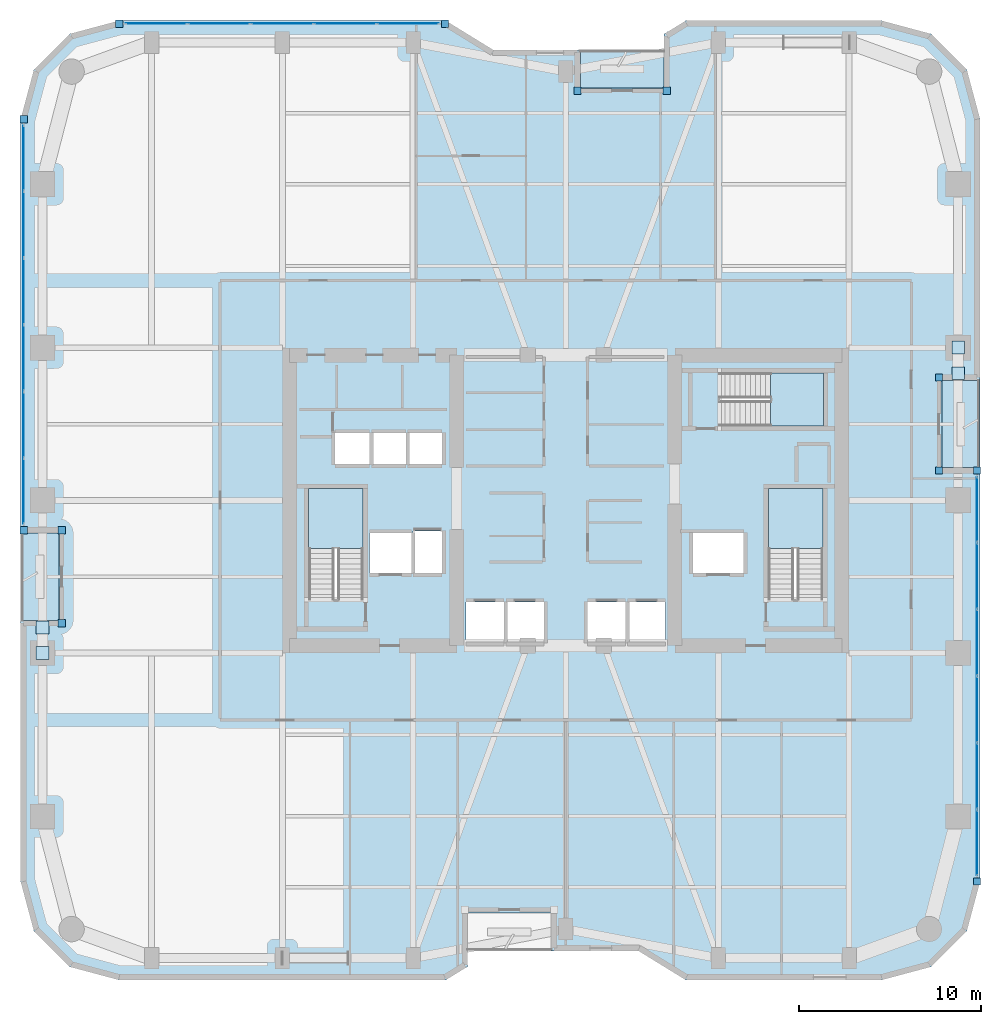
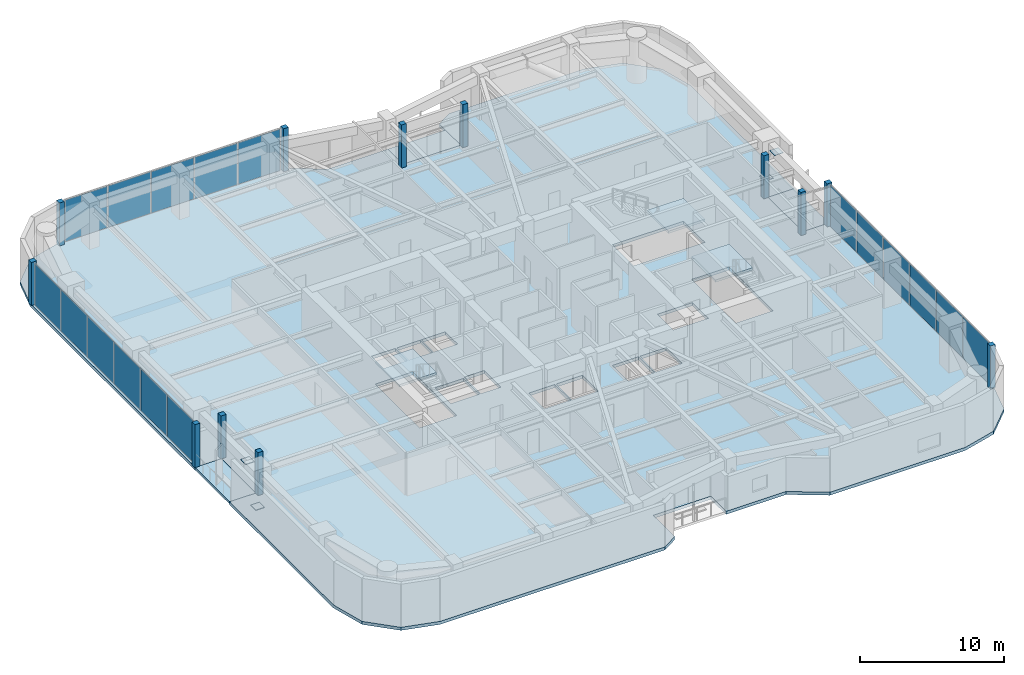
# One storey, part 16 of 24: 33 plates, 7 slabs, 6 elements without a shape of their own.
"""IFC4 building model written with IfcOpenShell, lengths in metres."""

from ifc_helpers import new_model, si_unit, direction, frame, origin, origin_2d, place, context, subcontext, project, spatial, polyline, rectangle, outline, extrude, material, layer, layer_set, type_object, element, aggregate, save


model = new_model("IFC4")

# Units and contexts
model_context = context("Model", 3, precision=1e-05, world=origin(), true_north=direction((0.0, 1.0)))
body_context = subcontext(model_context, "Body", "Model", "MODEL_VIEW")
ifc_project = project(units=[si_unit("LENGTHUNIT", "METRE"), si_unit("AREAUNIT", "SQUARE_METRE"), si_unit("VOLUMEUNIT", "CUBIC_METRE"), si_unit("PLANEANGLEUNIT", "RADIAN"), si_unit("MASSUNIT", "GRAM", prefix="KILO")], contexts=[model_context])

# Site, building, storey
site_placement = place(None, origin())
site = spatial("IfcSite", under=ifc_project, at=site_placement, CompositionType="ELEMENT")
building_placement = place(site_placement, origin())
building = spatial("IfcBuilding", under=site, at=building_placement, Name="Kiyonajd Concourse Tower", CompositionType="ELEMENT")
storey_placement = place(building_placement, frame((0.0, 0.0, 97.5)))
storey = spatial("IfcBuildingStorey", under=building, at=storey_placement, Name="L25", CompositionType="ELEMENT", Elevation=97.5)

# Plates
ifc_material_1 = material(Name="Steel ASTM A572 Grade 50", Category="steel")
ifc_layer_1 = layer(ifc_material_1, 0.028076171875)
ifc_layer_set_1 = layer_set([ifc_layer_1], Name="Steel ASTM A572 Grade 50")
plate_type_1 = type_object("IfcPlateType", Name="PL-CAP-450", PredefinedType="USERDEFINED", material=ifc_layer_set_1)
for number, where, z_axis, x_axis, name in (
    (1, (19.199951171875, 27.59521484375, 0.27587890625), (0.0, 0.0, 1.0), (1.0, 0.0, 0.0), "L25 Hollow Brace End Cap Plate PBW"),
    (2, (19.199951171875, 29.004638671875, 3.2861328125), (0.0, 0.0, 1.0), (1.0, 0.0, 0.0), "L25 Hollow Brace Top Cap Plate PBW"),
    (3, (69.60009765625, 44.40478515625, 0.27587890625), (0.0, 0.0, 1.0), (1.0, 0.0, 0.0), "L25 Hollow Brace End Cap Plate PBE"),
    (4, (69.60009765625, 42.995361328125, 3.2861328125), (0.0, 0.0, 1.0), (1.0, 0.0, 0.0), "L25 Hollow Brace Top Cap Plate PBE"),
):
    element("IfcPlate", number, at=place(storey_placement, frame(where, z_axis=z_axis, x_axis=x_axis)), inside=storey, type_object=plate_type_1, Name=name, ObjectType="CAP PLATE", PredefinedType="USERDEFINED", context=body_context, shape_type="SweptSolid", body=[
        extrude(rectangle(XDim=0.7099609375, YDim=0.7099609375, at=origin_2d()), origin(), (0.0, 0.0, 1.0), 0.028076171875),
    ])

# Curtain wall, plates
ifc_material_2 = material(Name="Thermally Broken Anodised Aluminium", Category="aluminium")
ifc_layer_2 = layer(ifc_material_2, 0.179931640625)
ifc_layer_set_2 = layer_set([ifc_layer_2], Name="Thermally Broken Anodised Aluminium")
curtain_wall_type = type_object("IfcCurtainWallType", Name="CW-SYS-03", PredefinedType="NOTDEFINED", material=ifc_layer_set_2)
curtain_wall_1_placement = place(storey_placement, origin())
curtain_wall_1 = element("IfcCurtainWall", 5, at=curtain_wall_1_placement, inside=storey, type_object=curtain_wall_type, Name="L25 Unitised Curtain Wall CW3", PredefinedType="NOTDEFINED")
ifc_material_3 = material(Name="Double Low-E Insulated Glass", Category="glass")
ifc_layer_3 = layer(ifc_material_3, 0.033935546875)
ifc_layer_set_3 = layer_set([ifc_layer_3], Name="Double Low-E Insulated Glass")
plate_type_2 = type_object("IfcPlateType", Name="PL-CW-VIS34", PredefinedType="CURTAIN_PANEL", material=ifc_layer_set_3)
plate_1_placement = place(storey_placement, frame((18.159912109375, 36.5029296875, 0.06494140625), z_axis=(0.0, 0.0, 1.0), x_axis=(0.0, 1.0, 0.0)))
plate_1 = element("IfcPlate", 6, at=plate_1_placement, type_object=plate_type_2, Name="CW3 panel 1.1", PredefinedType="CURTAIN_PANEL", context=body_context, shape_type="SweptSolid", body=[
    extrude(rectangle(XDim=3.57568359375, YDim=0.033935546875, at=origin_2d()), origin(), (0.0, 0.0, 1.0), 3.510009765625),
])
plate_2_placement = place(storey_placement, frame((18.159912109375, 40.15966796875, 0.06494140625), z_axis=(0.0, 0.0, 1.0), x_axis=(0.0, 1.0, 0.0)))
plate_2 = element("IfcPlate", 7, at=plate_2_placement, type_object=plate_type_2, Name="CW3 panel 2.1", PredefinedType="CURTAIN_PANEL", context=body_context, shape_type="SweptSolid", body=[
    extrude(rectangle(XDim=3.608154296875, YDim=0.033935546875, at=origin_2d()), origin(), (0.0, 0.0, 1.0), 3.510009765625),
])
plate_3_placement = place(storey_placement, frame((18.159912109375, 43.832763671875, 0.06494140625), z_axis=(0.0, 0.0, 1.0), x_axis=(0.0, 1.0, 0.0)))
plate_3 = element("IfcPlate", 8, at=plate_3_placement, type_object=plate_type_2, Name="CW3 panel 3.1", PredefinedType="CURTAIN_PANEL", context=body_context, shape_type="SweptSolid", body=[
    extrude(rectangle(XDim=3.608154296875, YDim=0.033935546875, at=origin_2d()), origin(), (0.0, 0.0, 1.0), 3.510009765625),
])
plate_4_placement = place(storey_placement, frame((18.159912109375, 47.506103515625, 0.06494140625), z_axis=(0.0, 0.0, 1.0), x_axis=(0.0, 1.0, 0.0)))
plate_4 = element("IfcPlate", 9, at=plate_4_placement, type_object=plate_type_2, Name="CW3 panel 4.1", PredefinedType="CURTAIN_PANEL", context=body_context, shape_type="SweptSolid", body=[
    extrude(rectangle(XDim=3.608154296875, YDim=0.033935546875, at=origin_2d()), origin(), (0.0, 0.0, 1.0), 3.510009765625),
])
plate_5_placement = place(storey_placement, frame((18.159912109375, 51.17919921875, 0.06494140625), z_axis=(0.0, 0.0, 1.0), x_axis=(0.0, 1.0, 0.0)))
plate_5 = element("IfcPlate", 10, at=plate_5_placement, type_object=plate_type_2, Name="CW3 panel 5.1", PredefinedType="CURTAIN_PANEL", context=body_context, shape_type="SweptSolid", body=[
    extrude(rectangle(XDim=3.608154296875, YDim=0.033935546875, at=origin_2d()), origin(), (0.0, 0.0, 1.0), 3.510009765625),
])
plate_6_placement = place(storey_placement, frame((18.159912109375, 54.836181640625, 0.06494140625), z_axis=(0.0, 0.0, 1.0), x_axis=(0.0, 1.0, 0.0)))
plate_6 = element("IfcPlate", 11, at=plate_6_placement, type_object=plate_type_2, Name="CW3 panel 6.1", PredefinedType="CURTAIN_PANEL", context=body_context, shape_type="SweptSolid", body=[
    extrude(rectangle(XDim=3.57568359375, YDim=0.033935546875, at=origin_2d()), origin(), (0.0, 0.0, 1.0), 3.510009765625),
])
aggregate(curtain_wall_1, [plate_1, plate_2, plate_3, plate_4, plate_5, plate_6])

curtain_wall_2_placement = place(storey_placement, origin())
curtain_wall_2 = element("IfcCurtainWall", 12, at=curtain_wall_2_placement, inside=storey, type_object=curtain_wall_type, Name="L25 Unitised Curtain Wall CW3", PredefinedType="NOTDEFINED")
plate_7_placement = place(storey_placement, frame((25.462646484375, 62.239990234375, 0.06494140625), z_axis=(0.0, 0.0, 1.0), x_axis=(1.0, 0.0, 0.0)))
plate_7 = element("IfcPlate", 13, at=plate_7_placement, type_object=plate_type_2, Name="CW3 panel 1.1", PredefinedType="CURTAIN_PANEL", context=body_context, shape_type="SweptSolid", body=[
    extrude(rectangle(XDim=3.373291015625, YDim=0.033935546875, at=origin_2d()), origin(), (0.0, 0.0, 1.0), 3.510009765625),
])
plate_8_placement = place(storey_placement, frame((28.917236328125, 62.239990234375, 0.06494140625), z_axis=(0.0, 0.0, 1.0), x_axis=(1.0, 0.0, 0.0)))
plate_8 = element("IfcPlate", 14, at=plate_8_placement, type_object=plate_type_2, Name="CW3 panel 2.1", PredefinedType="CURTAIN_PANEL", context=body_context, shape_type="SweptSolid", body=[
    extrude(rectangle(XDim=3.40576171875, YDim=0.033935546875, at=origin_2d()), origin(), (0.0, 0.0, 1.0), 3.510009765625),
])
plate_9_placement = place(storey_placement, frame((32.387939453125, 62.239990234375, 0.06494140625), z_axis=(0.0, 0.0, 1.0), x_axis=(1.0, 0.0, 0.0)))
plate_9 = element("IfcPlate", 15, at=plate_9_placement, type_object=plate_type_2, Name="CW3 panel 3.1", PredefinedType="CURTAIN_PANEL", context=body_context, shape_type="SweptSolid", body=[
    extrude(rectangle(XDim=3.40576171875, YDim=0.033935546875, at=origin_2d()), origin(), (0.0, 0.0, 1.0), 3.510009765625),
])
plate_10_placement = place(storey_placement, frame((35.858642578125, 62.239990234375, 0.06494140625), z_axis=(0.0, 0.0, 1.0), x_axis=(1.0, 0.0, 0.0)))
plate_10 = element("IfcPlate", 16, at=plate_10_placement, type_object=plate_type_2, Name="CW3 panel 4.1", PredefinedType="CURTAIN_PANEL", context=body_context, shape_type="SweptSolid", body=[
    extrude(rectangle(XDim=3.40576171875, YDim=0.033935546875, at=origin_2d()), origin(), (0.0, 0.0, 1.0), 3.510009765625),
])
plate_11_placement = place(storey_placement, frame((39.31298828125, 62.239990234375, 0.06494140625), z_axis=(0.0, 0.0, 1.0), x_axis=(1.0, 0.0, 0.0)))
plate_11 = element("IfcPlate", 17, at=plate_11_placement, type_object=plate_type_2, Name="CW3 panel 5.1", PredefinedType="CURTAIN_PANEL", context=body_context, shape_type="SweptSolid", body=[
    extrude(rectangle(XDim=3.373291015625, YDim=0.033935546875, at=origin_2d()), origin(), (0.0, 0.0, 1.0), 3.510009765625),
])
aggregate(curtain_wall_2, [plate_7, plate_8, plate_9, plate_10, plate_11])

curtain_wall_3_placement = place(storey_placement, origin())
curtain_wall_3 = element("IfcCurtainWall", 18, at=curtain_wall_3_placement, inside=storey, type_object=curtain_wall_type, Name="L25 Unitised Curtain Wall CW3", PredefinedType="NOTDEFINED")
plate_12_placement = place(storey_placement, frame((70.639892578125, 35.4970703125, 0.06494140625), z_axis=(0.0, 0.0, 1.0), x_axis=(0.0, -1.0, 0.0)))
plate_12 = element("IfcPlate", 19, at=plate_12_placement, type_object=plate_type_2, Name="CW3 panel 1.1", PredefinedType="CURTAIN_PANEL", context=body_context, shape_type="SweptSolid", body=[
    extrude(rectangle(XDim=3.57568359375, YDim=0.033935546875, at=origin_2d()), origin(), (0.0, 0.0, 1.0), 3.510009765625),
])
plate_13_placement = place(storey_placement, frame((70.639892578125, 31.84033203125, 0.06494140625), z_axis=(0.0, 0.0, 1.0), x_axis=(0.0, -1.0, 0.0)))
plate_13 = element("IfcPlate", 20, at=plate_13_placement, type_object=plate_type_2, Name="CW3 panel 2.1", PredefinedType="CURTAIN_PANEL", context=body_context, shape_type="SweptSolid", body=[
    extrude(rectangle(XDim=3.608154296875, YDim=0.033935546875, at=origin_2d()), origin(), (0.0, 0.0, 1.0), 3.510009765625),
])
plate_14_placement = place(storey_placement, frame((70.639892578125, 28.167236328125, 0.06494140625), z_axis=(0.0, 0.0, 1.0), x_axis=(0.0, -1.0, 0.0)))
plate_14 = element("IfcPlate", 21, at=plate_14_placement, type_object=plate_type_2, Name="CW3 panel 3.1", PredefinedType="CURTAIN_PANEL", context=body_context, shape_type="SweptSolid", body=[
    extrude(rectangle(XDim=3.608154296875, YDim=0.033935546875, at=origin_2d()), origin(), (0.0, 0.0, 1.0), 3.510009765625),
])
plate_15_placement = place(storey_placement, frame((70.639892578125, 24.493896484375, 0.06494140625), z_axis=(0.0, 0.0, 1.0), x_axis=(0.0, -1.0, 0.0)))
plate_15 = element("IfcPlate", 22, at=plate_15_placement, type_object=plate_type_2, Name="CW3 panel 4.1", PredefinedType="CURTAIN_PANEL", context=body_context, shape_type="SweptSolid", body=[
    extrude(rectangle(XDim=3.608154296875, YDim=0.033935546875, at=origin_2d()), origin(), (0.0, 0.0, 1.0), 3.510009765625),
])
plate_16_placement = place(storey_placement, frame((70.639892578125, 20.82080078125, 0.06494140625), z_axis=(0.0, 0.0, 1.0), x_axis=(0.0, -1.0, 0.0)))
plate_16 = element("IfcPlate", 23, at=plate_16_placement, type_object=plate_type_2, Name="CW3 panel 5.1", PredefinedType="CURTAIN_PANEL", context=body_context, shape_type="SweptSolid", body=[
    extrude(rectangle(XDim=3.608154296875, YDim=0.033935546875, at=origin_2d()), origin(), (0.0, 0.0, 1.0), 3.510009765625),
])
plate_17_placement = place(storey_placement, frame((70.639892578125, 17.163818359375, 0.06494140625), z_axis=(0.0, 0.0, 1.0), x_axis=(0.0, -1.0, 0.0)))
plate_17 = element("IfcPlate", 24, at=plate_17_placement, type_object=plate_type_2, Name="CW3 panel 6.1", PredefinedType="CURTAIN_PANEL", context=body_context, shape_type="SweptSolid", body=[
    extrude(rectangle(XDim=3.57568359375, YDim=0.033935546875, at=origin_2d()), origin(), (0.0, 0.0, 1.0), 3.510009765625),
])
aggregate(curtain_wall_3, [plate_12, plate_13, plate_14, plate_15, plate_16, plate_17])

# Plates
ifc_layer_4 = layer(ifc_material_2, 0.39990234375)
ifc_layer_set_4 = layer_set([ifc_layer_4], Name="Thermally Broken Anodised Aluminium")
plate_type_3 = type_object("IfcPlateType", Name="PL-JMB-400", PredefinedType="USERDEFINED", material=ifc_layer_set_4)
for number, where, z_axis, x_axis, name in (
    (25, (20.260009765625, 29.239990234375, 0.0), (0.0, 0.0, 1.0), (1.0, 0.0, 0.0), "L25 Facade Jamb Closure Plate 01"),
    (26, (20.260009765625, 34.360107421875, 0.0), (0.0, 0.0, 1.0), (1.0, 0.0, 0.0), "L25 Facade Jamb Closure Plate 02"),
    (27, (18.159912109375, 34.360107421875, 0.0), (0.0, 0.0, 1.0), (1.0, 0.0, 0.0), "L25 Facade Jamb Closure Plate 03"),
    (28, (18.159912109375, 56.97900390625, 0.0), (0.0, 0.0, 1.0), (1.0, 0.0, 0.0), "L25 Facade Jamb Closure Plate 04"),
    (29, (23.421142578125, 62.239990234375, 0.0), (0.0, 0.0, 1.0), (1.0, 0.0, 0.0), "L25 Facade Jamb Closure Plate 05"),
    (30, (41.354736328125, 62.239990234375, 0.0), (0.0, 0.0, 1.0), (1.0, 0.0, 0.0), "L25 Facade Jamb Closure Plate 06"),
    (31, (48.639892578125, 58.5400390625, 0.0), (0.0, 0.0, 1.0), (1.0, 0.0, 0.0), "L25 Facade Jamb Closure Plate 07"),
    (32, (53.56005859375, 58.5400390625, 0.0), (0.0, 0.0, 1.0), (1.0, 0.0, 0.0), "L25 Facade Jamb Closure Plate 08"),
    (33, (68.5400390625, 42.760009765625, 0.0), (0.0, 0.0, 1.0), (1.0, 0.0, 0.0), "L25 Facade Jamb Closure Plate 09"),
    (34, (68.5400390625, 37.639892578125, 0.0), (0.0, 0.0, 1.0), (1.0, 0.0, 0.0), "L25 Facade Jamb Closure Plate 10"),
    (35, (70.639892578125, 37.639892578125, 0.0), (0.0, 0.0, 1.0), (1.0, 0.0, 0.0), "L25 Facade Jamb Closure Plate 11"),
    (36, (70.639892578125, 15.02099609375, 0.0), (0.0, 0.0, 1.0), (1.0, 0.0, 0.0), "L25 Facade Jamb Closure Plate 12"),
):
    element("IfcPlate", number, at=place(storey_placement, frame(where, z_axis=z_axis, x_axis=x_axis)), inside=storey, type_object=plate_type_3, Name=name, ObjectType="JAMB PLATE", PredefinedType="USERDEFINED", context=body_context, shape_type="SweptSolid", body=[
        extrude(rectangle(XDim=0.39990234375, YDim=0.39990234375, at=origin_2d()), origin(), (0.0, 0.0, 1.0), 3.639892578125),
    ])

# Stair, slab
ifc_material_4 = material(Name="Concrete C40/50", Category="concrete")
stair_type = type_object("IfcStairType", Name="ST-DLG-22R", PredefinedType="HALF_TURN_STAIR", material=ifc_material_4)
stair_1_placement = place(storey_placement, origin())
stair_1 = element("IfcStair", 37, at=stair_1_placement, inside=storey, type_object=stair_type, Name="L25 Protected Exit Stair ST1", PredefinedType="HALF_TURN_STAIR")
ifc_layer_5 = layer(ifc_material_4, 0.199951171875)
ifc_layer_set_5 = layer_set([ifc_layer_5], Name="Concrete C40/50")
slab_type_1 = type_object("IfcSlabType", Name="SL-LND-200", PredefinedType="LANDING", material=ifc_layer_set_5)
slab_1_placement = place(storey_placement, frame((0.0, 0.0, 1.75)))
slab_1 = element("IfcSlab", 38, at=slab_1_placement, type_object=slab_type_1, Name="ST1 landing 1", PredefinedType="LANDING", context=body_context, shape_type="SweptSolid", body=[
    extrude(outline(polyline([(36.85009765625, 33.35009765625), (36.85009765625, 36.64990234375), (33.85009765625, 36.64990234375), (33.85009765625, 33.35009765625), (36.85009765625, 33.35009765625)])), origin(), (0.0, 0.0, 1.0), 0.199951171875),
])
aggregate(stair_1, [slab_1])

stair_2_placement = place(storey_placement, origin())
stair_2 = element("IfcStair", 39, at=stair_2_placement, inside=storey, type_object=stair_type, Name="L25 Protected Exit Stair ST2", PredefinedType="HALF_TURN_STAIR")
slab_2_placement = place(storey_placement, frame((0.0, 0.0, 1.75)))
slab_2 = element("IfcSlab", 40, at=slab_2_placement, type_object=slab_type_1, Name="ST2 landing 1", PredefinedType="LANDING", context=body_context, shape_type="SweptSolid", body=[
    extrude(outline(polyline([(62.14990234375, 33.35009765625), (62.14990234375, 36.64990234375), (59.14990234375, 36.64990234375), (59.14990234375, 33.35009765625), (62.14990234375, 33.35009765625)])), origin(), (0.0, 0.0, 1.0), 0.199951171875),
])
aggregate(stair_2, [slab_2])

stair_3_placement = place(storey_placement, origin())
stair_3 = element("IfcStair", 41, at=stair_3_placement, inside=storey, type_object=stair_type, Name="L25 Protected Exit Stair ST3", PredefinedType="HALF_TURN_STAIR")
slab_3_placement = place(storey_placement, frame((0.0, 0.0, 1.75)))
slab_3 = element("IfcSlab", 42, at=slab_3_placement, type_object=slab_type_1, Name="ST3 landing 1", PredefinedType="LANDING", context=body_context, shape_type="SweptSolid", body=[
    extrude(outline(polyline([(59.280029296875, 40.080078125), (62.179931640625, 40.080078125), (62.179931640625, 43.02001953125), (59.280029296875, 43.02001953125), (59.280029296875, 40.080078125)])), origin(), (0.0, 0.0, 1.0), 0.199951171875),
])
aggregate(stair_3, [slab_3])

# Slabs
ifc_material_5 = material(Name="Precast concrete C50/60", Category="concrete")
ifc_layer_6 = layer(ifc_material_5, 0.199951171875)
ifc_layer_set_6 = layer_set([ifc_layer_6], Name="Precast concrete C50/60")
slab_type_2 = type_object("IfcSlabType", Name="SL-LOG-200", PredefinedType="FLOOR", material=ifc_layer_set_6)
slab_4_placement = place(storey_placement, frame((0.0, 0.0, -0.199951171875)))
element("IfcSlab", 43, at=slab_4_placement, inside=storey, type_object=slab_type_2, Name="L25 Recessed Engawa Loggia Terrace Slab LOG-N", PredefinedType="FLOOR", context=body_context, shape_type="SweptSolid", body=[
    extrude(outline(polyline([(48.800048828125, 58.699951171875), (53.39990234375, 58.699951171875), (53.39990234375, 60.800048828125), (48.800048828125, 60.800048828125), (48.800048828125, 58.699951171875)])), origin(), (0.0, 0.0, 1.0), 0.199951171875),
])
slab_5_placement = place(storey_placement, frame((0.0, 0.0, -0.199951171875)))
element("IfcSlab", 44, at=slab_5_placement, inside=storey, type_object=slab_type_2, Name="L25 Recessed Engawa Loggia Terrace Slab LOG-W", PredefinedType="FLOOR", context=body_context, shape_type="SweptSolid", body=[
    extrude(outline(polyline([(18.0, 29.39990234375), (20.10009765625, 29.39990234375), (20.10009765625, 34.199951171875), (18.0, 34.199951171875), (18.0, 29.39990234375)])), origin(), (0.0, 0.0, 1.0), 0.199951171875),
])
slab_6_placement = place(storey_placement, frame((0.0, 0.0, -0.199951171875)))
element("IfcSlab", 45, at=slab_6_placement, inside=storey, type_object=slab_type_2, Name="L25 Recessed Engawa Loggia Terrace Slab LOG-E", PredefinedType="FLOOR", context=body_context, shape_type="SweptSolid", body=[
    extrude(outline(polyline([(68.699951171875, 37.800048828125), (70.800048828125, 37.800048828125), (70.800048828125, 42.60009765625), (68.699951171875, 42.60009765625), (68.699951171875, 37.800048828125)])), origin(), (0.0, 0.0, 1.0), 0.199951171875),
])
ifc_layer_7 = layer(ifc_material_4, 0.260009765625)
ifc_layer_set_7 = layer_set([ifc_layer_7], Name="Concrete C40/50")
slab_type_3 = type_object("IfcSlabType", Name="SL-TWR-260", PredefinedType="FLOOR", material=ifc_layer_set_7)
slab_7_placement = place(storey_placement, frame((0.0, 0.0, -0.260009765625)))
element("IfcSlab", 46, at=slab_7_placement, inside=storey, type_object=slab_type_3, Name="L25 Tower Conditioned Floor Slab", PredefinedType="FLOOR", context=body_context, shape_type="SweptSolid", body=[
    extrude(outline(polyline([(18.722900390625, 12.300048828125), (18.0, 15.0), (18.0, 29.39990234375), (20.10009765625, 29.39990234375), (20.10009765625, 34.199951171875), (18.0, 34.199951171875), (18.0, 57.0), (18.722900390625, 59.699951171875), (20.699951171875, 61.677001953125), (23.39990234375, 62.39990234375), (41.39990234375, 62.39990234375), (44.0, 60.800048828125), (48.800048828125, 60.800048828125), (48.800048828125, 58.699951171875), (53.39990234375, 58.699951171875), (53.39990234375, 61.662109375), (54.60009765625, 62.39990234375), (65.39990234375, 62.39990234375), (68.10009765625, 61.677001953125), (70.076904296875, 59.699951171875), (70.800048828125, 57.0), (70.800048828125, 42.60009765625), (68.699951171875, 42.60009765625), (68.699951171875, 37.800048828125), (70.800048828125, 37.800048828125), (70.800048828125, 15.0), (70.076904296875, 12.300048828125), (68.10009765625, 10.322998046875), (65.39990234375, 9.60009765625), (54.60009765625, 9.60009765625), (52.0, 11.199951171875), (47.199951171875, 11.199951171875), (47.199951171875, 13.300048828125), (42.60009765625, 13.300048828125), (42.60009765625, 10.337890625), (41.39990234375, 9.60009765625), (23.39990234375, 9.60009765625), (20.699951171875, 10.322998046875), (18.722900390625, 12.300048828125)]), holes=[polyline([(44.60009765625, 28.199951171875), (42.5, 28.199951171875), (42.5, 30.39990234375), (44.60009765625, 30.39990234375), (44.60009765625, 28.199951171875)]), polyline([(37.199951171875, 32.0), (37.199951171875, 34.199951171875), (39.5, 34.199951171875), (39.5, 32.0), (37.199951171875, 32.0)]), polyline([(39.60009765625, 32.0), (39.60009765625, 34.300048828125), (41.199951171875, 34.300048828125), (41.199951171875, 32.0), (39.60009765625, 32.0)]), polyline([(36.85009765625, 30.550048828125), (33.85009765625, 30.550048828125), (33.85009765625, 36.64990234375), (36.85009765625, 36.64990234375), (36.85009765625, 30.550048828125)]), polyline([(35.300048828125, 38.0), (35.300048828125, 39.699951171875), (37.199951171875, 39.699951171875), (37.199951171875, 38.0), (35.300048828125, 38.0)]), polyline([(37.300048828125, 38.0), (37.300048828125, 39.699951171875), (39.199951171875, 39.699951171875), (39.199951171875, 38.0), (37.300048828125, 38.0)]), polyline([(41.199951171875, 38.0), (39.300048828125, 38.0), (39.300048828125, 39.699951171875), (41.199951171875, 39.699951171875), (41.199951171875, 38.0)]), polyline([(44.699951171875, 28.199951171875), (44.699951171875, 30.39990234375), (46.800048828125, 30.39990234375), (46.800048828125, 28.199951171875), (44.699951171875, 28.199951171875)]), polyline([(49.199951171875, 28.199951171875), (49.199951171875, 30.39990234375), (51.300048828125, 30.39990234375), (51.300048828125, 28.199951171875), (49.199951171875, 28.199951171875)]), polyline([(51.39990234375, 28.199951171875), (51.39990234375, 30.39990234375), (53.5, 30.39990234375), (53.5, 28.199951171875), (51.39990234375, 28.199951171875)]), polyline([(55.0, 32.0), (55.0, 34.199951171875), (57.800048828125, 34.199951171875), (57.800048828125, 32.0), (55.0, 32.0)]), polyline([(59.14990234375, 30.550048828125), (59.14990234375, 36.64990234375), (62.14990234375, 36.64990234375), (62.14990234375, 30.550048828125), (59.14990234375, 30.550048828125)]), polyline([(56.47998046875, 43.02001953125), (62.179931640625, 43.02001953125), (62.179931640625, 40.080078125), (56.47998046875, 40.080078125), (56.47998046875, 43.02001953125)])]), origin(), (0.0, 0.0, 1.0), 0.260009765625),
])

save(model, "model.ifc")
